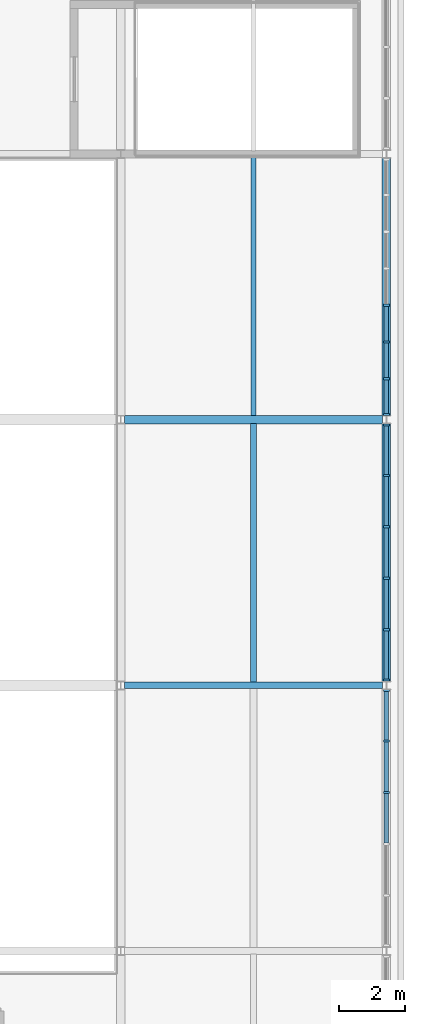
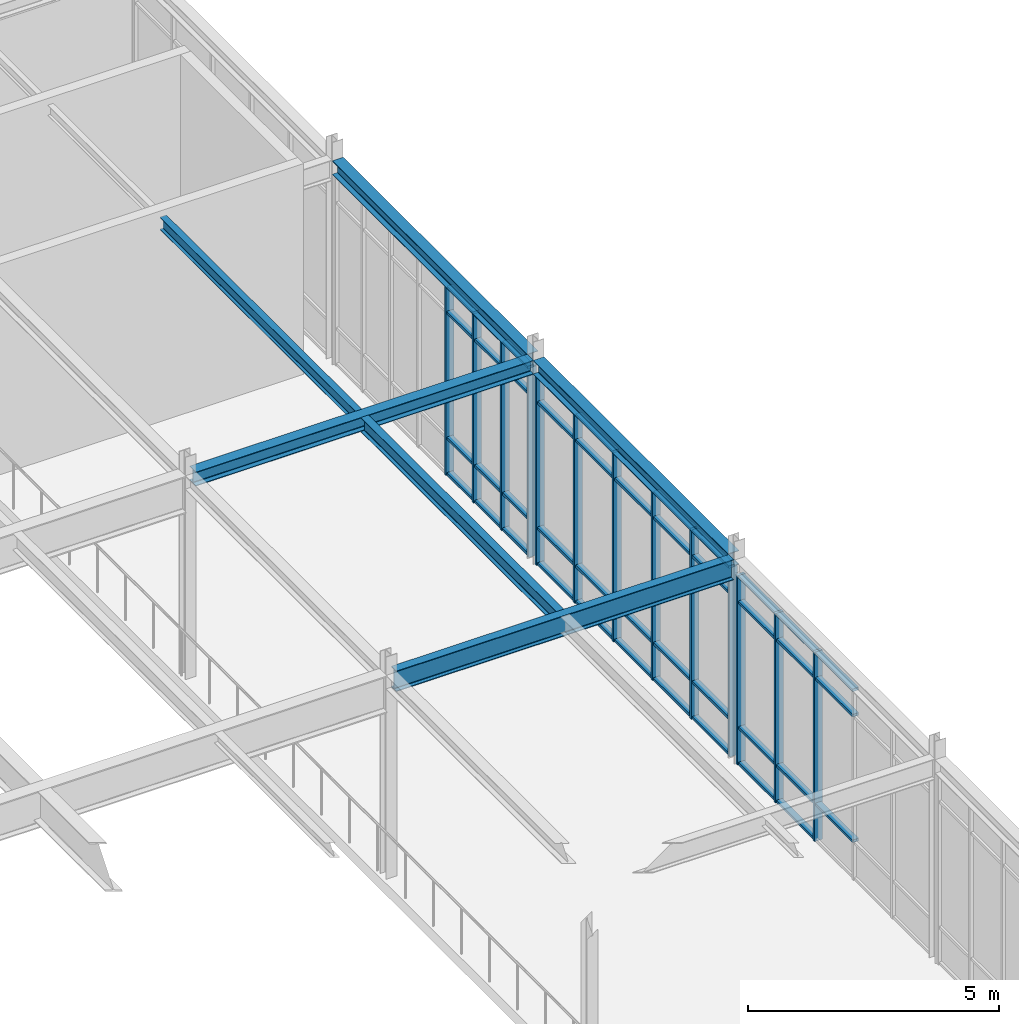
# One storey, part 53 of 108: 56 members, 6 beams, 3 elements without a shape of their own.
"""IFC4 building model written with IfcOpenShell, lengths in metres."""

from ifc_helpers import new_model, si_unit, direction, frame, origin, origin_2d, place, context, subcontext, project, spatial, rectangle, i_section, extrude, material, material_profile, profile_set, type_object, element, aggregate, save


model = new_model("IFC4")

# Units and contexts
model_context = context("Model", 3, precision=1e-05, world=origin(), true_north=direction((0.0, 1.0)))
body_context = subcontext(model_context, "Body", "Model", "MODEL_VIEW")
ifc_project = project(units=[si_unit("LENGTHUNIT", "METRE"), si_unit("AREAUNIT", "SQUARE_METRE"), si_unit("VOLUMEUNIT", "CUBIC_METRE"), si_unit("PLANEANGLEUNIT", "RADIAN"), si_unit("MASSUNIT", "GRAM", prefix="KILO")], contexts=[model_context])

# Site, building, storey
site_placement = place(None, origin())
site = spatial("IfcSite", under=ifc_project, at=site_placement, CompositionType="ELEMENT")
building_placement = place(site_placement, origin())
building = spatial("IfcBuilding", under=site, at=building_placement, Name="Zhaolan Boulevard Law Courts", CompositionType="ELEMENT")
storey_placement = place(building_placement, frame((0.0, 0.0, 10.800048828125)))
storey = spatial("IfcBuildingStorey", under=building, at=storey_placement, Name="L02", CompositionType="ELEMENT", Elevation=10.800048828125)

# Curtain wall, members
ifc_material_1 = material(Name="Thermally broken aluminium and low-E glazing", Category="aluminium")
curtain_wall_type_1 = type_object("IfcCurtainWallType", Name="CURTAIN WALL M16", PredefinedType="USERDEFINED", material=ifc_material_1)
curtain_wall_1_placement = place(storey_placement, origin())
curtain_wall_1 = element("IfcCurtainWall", 1, at=curtain_wall_1_placement, inside=storey, type_object=curtain_wall_type_1, Name="Curtain Wall CW-L02-088", ObjectType="CURTAIN WALL", PredefinedType="USERDEFINED")
ifc_material_2 = material(Name="Fluorocarbon-coated aluminium 6063-T6", Category="aluminium")
ifc_material_profile_1 = material_profile(ifc_material_2, rectangle(XDim=0.179931640625, YDim=0.06494140625, at=origin_2d()), Name="AL65x180")
ifc_profile_set_1 = profile_set([ifc_material_profile_1], Name="Fluorocarbon-coated aluminium 6063-T6")
member_type_1 = type_object("IfcMemberType", Name="CWMULLION 65X180", PredefinedType="MULLION", material=ifc_profile_set_1)
member_1_placement = place(storey_placement, frame((164.0, 18.774658203125, 0.0), z_axis=(0.0, 0.0, 1.0), x_axis=(-1.0, 0.0, 0.0)))
member_1 = element("IfcMember", 2, at=member_1_placement, type_object=member_type_1, Name="CW-L02-088 mullion 4", PredefinedType="MULLION", context=body_context, shape_type="SweptSolid", body=[
    extrude(rectangle(XDim=0.179931640625, YDim=0.06494140625, at=origin_2d()), origin(), (0.0, 0.0, 1.0), 4.60302734375),
])
member_2_placement = place(storey_placement, frame((164.0, 20.32373046875, 0.0), z_axis=(0.0, 0.0, 1.0), x_axis=(-1.0, 0.0, 0.0)))
member_2 = element("IfcMember", 3, at=member_2_placement, type_object=member_type_1, Name="CW-L02-088 mullion 5", PredefinedType="MULLION", context=body_context, shape_type="SweptSolid", body=[
    extrude(rectangle(XDim=0.179931640625, YDim=0.06494140625, at=origin_2d()), origin(), (0.0, 0.0, 1.0), 4.60302734375),
])
member_3_placement = place(storey_placement, frame((164.0, 21.840576171875, 0.0), z_axis=(0.0, 0.0, 1.0), x_axis=(-1.0, 0.0, 0.0)))
member_3 = element("IfcMember", 4, at=member_3_placement, type_object=member_type_1, Name="CW-L02-088 mullion 6", PredefinedType="MULLION", context=body_context, shape_type="SweptSolid", body=[
    extrude(rectangle(XDim=0.179931640625, YDim=0.06494140625, at=origin_2d()), origin(), (0.0, 0.0, 1.0), 4.60302734375),
])

ifc_material_3 = material(Name="Thermally broken aluminium and low-E glazing", Category="aluminium")
curtain_wall_type_2 = type_object("IfcCurtainWallType", Name="CURTAIN WALL M17", PredefinedType="USERDEFINED", material=ifc_material_3)
curtain_wall_2_placement = place(storey_placement, origin())
curtain_wall_2 = element("IfcCurtainWall", 5, at=curtain_wall_2_placement, inside=storey, type_object=curtain_wall_type_2, Name="Curtain Wall CW-L02-089", ObjectType="CURTAIN WALL", PredefinedType="USERDEFINED")
member_4_placement = place(storey_placement, frame((164.0, 22.159423828125, 0.0), z_axis=(0.0, 0.0, 1.0), x_axis=(-1.0, 0.0, 0.0)))
member_4 = element("IfcMember", 6, at=member_4_placement, type_object=member_type_1, Name="CW-L02-089 mullion 1", PredefinedType="MULLION", context=body_context, shape_type="SweptSolid", body=[
    extrude(rectangle(XDim=0.179931640625, YDim=0.06494140625, at=origin_2d()), origin(), (0.0, 0.0, 1.0), 4.60302734375),
])
member_5_placement = place(storey_placement, frame((164.0, 23.67626953125, 0.0), z_axis=(0.0, 0.0, 1.0), x_axis=(-1.0, 0.0, 0.0)))
member_5 = element("IfcMember", 7, at=member_5_placement, type_object=member_type_1, Name="CW-L02-089 mullion 2", PredefinedType="MULLION", context=body_context, shape_type="SweptSolid", body=[
    extrude(rectangle(XDim=0.179931640625, YDim=0.06494140625, at=origin_2d()), origin(), (0.0, 0.0, 1.0), 4.60302734375),
])
member_6_placement = place(storey_placement, frame((164.0, 25.225341796875, 0.0), z_axis=(0.0, 0.0, 1.0), x_axis=(-1.0, 0.0, 0.0)))
member_6 = element("IfcMember", 8, at=member_6_placement, type_object=member_type_1, Name="CW-L02-089 mullion 3", PredefinedType="MULLION", context=body_context, shape_type="SweptSolid", body=[
    extrude(rectangle(XDim=0.179931640625, YDim=0.06494140625, at=origin_2d()), origin(), (0.0, 0.0, 1.0), 4.60302734375),
])
member_7_placement = place(storey_placement, frame((164.0, 26.774658203125, 0.0), z_axis=(0.0, 0.0, 1.0), x_axis=(-1.0, 0.0, 0.0)))
member_7 = element("IfcMember", 9, at=member_7_placement, type_object=member_type_1, Name="CW-L02-089 mullion 4", PredefinedType="MULLION", context=body_context, shape_type="SweptSolid", body=[
    extrude(rectangle(XDim=0.179931640625, YDim=0.06494140625, at=origin_2d()), origin(), (0.0, 0.0, 1.0), 4.60302734375),
])
member_8_placement = place(storey_placement, frame((164.0, 28.32373046875, 0.0), z_axis=(0.0, 0.0, 1.0), x_axis=(-1.0, 0.0, 0.0)))
member_8 = element("IfcMember", 10, at=member_8_placement, type_object=member_type_1, Name="CW-L02-089 mullion 5", PredefinedType="MULLION", context=body_context, shape_type="SweptSolid", body=[
    extrude(rectangle(XDim=0.179931640625, YDim=0.06494140625, at=origin_2d()), origin(), (0.0, 0.0, 1.0), 4.60302734375),
])
member_9_placement = place(storey_placement, frame((164.0, 29.840576171875, 0.0), z_axis=(0.0, 0.0, 1.0), x_axis=(-1.0, 0.0, 0.0)))
member_9 = element("IfcMember", 11, at=member_9_placement, type_object=member_type_1, Name="CW-L02-089 mullion 6", PredefinedType="MULLION", context=body_context, shape_type="SweptSolid", body=[
    extrude(rectangle(XDim=0.179931640625, YDim=0.06494140625, at=origin_2d()), origin(), (0.0, 0.0, 1.0), 4.60302734375),
])

ifc_material_4 = material(Name="Thermally broken aluminium and low-E glazing", Category="aluminium")
curtain_wall_type_3 = type_object("IfcCurtainWallType", Name="CURTAIN WALL M18", PredefinedType="USERDEFINED", material=ifc_material_4)
curtain_wall_3_placement = place(storey_placement, origin())
curtain_wall_3 = element("IfcCurtainWall", 12, at=curtain_wall_3_placement, inside=storey, type_object=curtain_wall_type_3, Name="Curtain Wall CW-L02-090", ObjectType="CURTAIN WALL", PredefinedType="USERDEFINED")
member_10_placement = place(storey_placement, frame((164.0, 30.159423828125, 0.0), z_axis=(0.0, 0.0, 1.0), x_axis=(-1.0, 0.0, 0.0)))
member_10 = element("IfcMember", 13, at=member_10_placement, type_object=member_type_1, Name="CW-L02-090 mullion 1", PredefinedType="MULLION", context=body_context, shape_type="SweptSolid", body=[
    extrude(rectangle(XDim=0.179931640625, YDim=0.06494140625, at=origin_2d()), origin(), (0.0, 0.0, 1.0), 4.60302734375),
])
member_11_placement = place(storey_placement, frame((164.0, 31.233642578125, 0.0), z_axis=(0.0, 0.0, 1.0), x_axis=(-1.0, 0.0, 0.0)))
member_11 = element("IfcMember", 14, at=member_11_placement, type_object=member_type_1, Name="CW-L02-090 mullion 2", PredefinedType="MULLION", context=body_context, shape_type="SweptSolid", body=[
    extrude(rectangle(XDim=0.179931640625, YDim=0.06494140625, at=origin_2d()), origin(), (0.0, 0.0, 1.0), 4.60302734375),
])
member_12_placement = place(storey_placement, frame((164.0, 32.340087890625, 0.0), z_axis=(0.0, 0.0, 1.0), x_axis=(-1.0, 0.0, 0.0)))
member_12 = element("IfcMember", 15, at=member_12_placement, type_object=member_type_1, Name="CW-L02-090 mullion 3", PredefinedType="MULLION", context=body_context, shape_type="SweptSolid", body=[
    extrude(rectangle(XDim=0.179931640625, YDim=0.06494140625, at=origin_2d()), origin(), (0.0, 0.0, 1.0), 4.60302734375),
])
member_13_placement = place(storey_placement, frame((164.0, 33.44677734375, 0.0), z_axis=(0.0, 0.0, 1.0), x_axis=(-1.0, 0.0, 0.0)))
member_13 = element("IfcMember", 16, at=member_13_placement, type_object=member_type_1, Name="CW-L02-090 mullion 4", PredefinedType="MULLION", context=body_context, shape_type="SweptSolid", body=[
    extrude(rectangle(XDim=0.179931640625, YDim=0.06494140625, at=origin_2d()), origin(), (0.0, 0.0, 1.0), 4.60302734375),
])

# Member
ifc_material_5 = material(Name="Fluorocarbon-coated aluminium 6063-T6", Category="aluminium")
ifc_material_profile_2 = material_profile(ifc_material_5, rectangle(XDim=0.139892578125, YDim=0.06494140625, at=origin_2d()), Name="AL65x140")
ifc_profile_set_2 = profile_set([ifc_material_profile_2], Name="Fluorocarbon-coated aluminium 6063-T6")
member_type_2 = type_object("IfcMemberType", Name="CWTRANSOM 65X140", PredefinedType="USERDEFINED", material=ifc_profile_set_2)
member_14_placement = place(storey_placement, frame((164.0, 17.2578125, 0.89990234375), z_axis=(0.0, 1.0, 0.0), x_axis=(-1.0, 0.0, 0.0)))
member_14 = element("IfcMember", 17, at=member_14_placement, type_object=member_type_2, Name="CW-L02-088 transom 3.2", ObjectType="TRANSOM", PredefinedType="USERDEFINED", context=body_context, shape_type="SweptSolid", body=[
    extrude(rectangle(XDim=0.139892578125, YDim=0.06494140625, at=origin_2d()), origin(), (0.0, 0.0, 1.0), 1.484375),
])

member_15_placement = place(storey_placement, frame((164.0, 17.2578125, 3.952880859375), z_axis=(0.0, 1.0, 0.0), x_axis=(-1.0, 0.0, 0.0)))
member_15 = element("IfcMember", 18, at=member_15_placement, type_object=member_type_2, Name="CW-L02-088 transom 3.3", ObjectType="TRANSOM", PredefinedType="USERDEFINED", context=body_context, shape_type="SweptSolid", body=[
    extrude(rectangle(XDim=0.139892578125, YDim=0.06494140625, at=origin_2d()), origin(), (0.0, 0.0, 1.0), 1.484375),
])

member_16_placement = place(storey_placement, frame((164.0, 17.2578125, 4.570556640625), z_axis=(0.0, 1.0, 0.0), x_axis=(-1.0, 0.0, 0.0)))
member_16 = element("IfcMember", 19, at=member_16_placement, type_object=member_type_2, Name="CW-L02-088 transom 3.4", ObjectType="TRANSOM", PredefinedType="USERDEFINED", context=body_context, shape_type="SweptSolid", body=[
    extrude(rectangle(XDim=0.139892578125, YDim=0.06494140625, at=origin_2d()), origin(), (0.0, 0.0, 1.0), 1.484375),
])

member_17_placement = place(storey_placement, frame((164.0, 18.80712890625, 0.032470703125), z_axis=(0.0, 1.0, 0.0), x_axis=(-1.0, 0.0, 0.0)))
member_17 = element("IfcMember", 20, at=member_17_placement, type_object=member_type_2, Name="CW-L02-088 transom 4.1", ObjectType="TRANSOM", PredefinedType="USERDEFINED", context=body_context, shape_type="SweptSolid", body=[
    extrude(rectangle(XDim=0.139892578125, YDim=0.06494140625, at=origin_2d()), origin(), (0.0, 0.0, 1.0), 1.484130859375),
])

member_18_placement = place(storey_placement, frame((164.0, 18.80712890625, 0.89990234375), z_axis=(0.0, 1.0, 0.0), x_axis=(-1.0, 0.0, 0.0)))
member_18 = element("IfcMember", 21, at=member_18_placement, type_object=member_type_2, Name="CW-L02-088 transom 4.2", ObjectType="TRANSOM", PredefinedType="USERDEFINED", context=body_context, shape_type="SweptSolid", body=[
    extrude(rectangle(XDim=0.139892578125, YDim=0.06494140625, at=origin_2d()), origin(), (0.0, 0.0, 1.0), 1.484130859375),
])

member_19_placement = place(storey_placement, frame((164.0, 18.80712890625, 3.952880859375), z_axis=(0.0, 1.0, 0.0), x_axis=(-1.0, 0.0, 0.0)))
member_19 = element("IfcMember", 22, at=member_19_placement, type_object=member_type_2, Name="CW-L02-088 transom 4.3", ObjectType="TRANSOM", PredefinedType="USERDEFINED", context=body_context, shape_type="SweptSolid", body=[
    extrude(rectangle(XDim=0.139892578125, YDim=0.06494140625, at=origin_2d()), origin(), (0.0, 0.0, 1.0), 1.484130859375),
])

member_20_placement = place(storey_placement, frame((164.0, 18.80712890625, 4.570556640625), z_axis=(0.0, 1.0, 0.0), x_axis=(-1.0, 0.0, 0.0)))
member_20 = element("IfcMember", 23, at=member_20_placement, type_object=member_type_2, Name="CW-L02-088 transom 4.4", ObjectType="TRANSOM", PredefinedType="USERDEFINED", context=body_context, shape_type="SweptSolid", body=[
    extrude(rectangle(XDim=0.139892578125, YDim=0.06494140625, at=origin_2d()), origin(), (0.0, 0.0, 1.0), 1.484130859375),
])

member_21_placement = place(storey_placement, frame((164.0, 20.356201171875, 0.032470703125), z_axis=(0.0, 1.0, 0.0), x_axis=(-1.0, 0.0, 0.0)))
member_21 = element("IfcMember", 24, at=member_21_placement, type_object=member_type_2, Name="CW-L02-088 transom 5.1", ObjectType="TRANSOM", PredefinedType="USERDEFINED", context=body_context, shape_type="SweptSolid", body=[
    extrude(rectangle(XDim=0.139892578125, YDim=0.06494140625, at=origin_2d()), origin(), (0.0, 0.0, 1.0), 1.451904296875),
])

member_22_placement = place(storey_placement, frame((164.0, 20.356201171875, 0.89990234375), z_axis=(0.0, 1.0, 0.0), x_axis=(-1.0, 0.0, 0.0)))
member_22 = element("IfcMember", 25, at=member_22_placement, type_object=member_type_2, Name="CW-L02-088 transom 5.2", ObjectType="TRANSOM", PredefinedType="USERDEFINED", context=body_context, shape_type="SweptSolid", body=[
    extrude(rectangle(XDim=0.139892578125, YDim=0.06494140625, at=origin_2d()), origin(), (0.0, 0.0, 1.0), 1.451904296875),
])

member_23_placement = place(storey_placement, frame((164.0, 20.356201171875, 3.952880859375), z_axis=(0.0, 1.0, 0.0), x_axis=(-1.0, 0.0, 0.0)))
member_23 = element("IfcMember", 26, at=member_23_placement, type_object=member_type_2, Name="CW-L02-088 transom 5.3", ObjectType="TRANSOM", PredefinedType="USERDEFINED", context=body_context, shape_type="SweptSolid", body=[
    extrude(rectangle(XDim=0.139892578125, YDim=0.06494140625, at=origin_2d()), origin(), (0.0, 0.0, 1.0), 1.451904296875),
])

member_24_placement = place(storey_placement, frame((164.0, 20.356201171875, 4.570556640625), z_axis=(0.0, 1.0, 0.0), x_axis=(-1.0, 0.0, 0.0)))
member_24 = element("IfcMember", 27, at=member_24_placement, type_object=member_type_2, Name="CW-L02-088 transom 5.4", ObjectType="TRANSOM", PredefinedType="USERDEFINED", context=body_context, shape_type="SweptSolid", body=[
    extrude(rectangle(XDim=0.139892578125, YDim=0.06494140625, at=origin_2d()), origin(), (0.0, 0.0, 1.0), 1.451904296875),
])

aggregate(curtain_wall_1, [member_1, member_2, member_3, member_14, member_15, member_16, member_17, member_18, member_19, member_20, member_21, member_22, member_23, member_24])

member_25_placement = place(storey_placement, frame((164.0, 22.19189453125, 0.032470703125), z_axis=(0.0, 1.0, 0.0), x_axis=(-1.0, 0.0, 0.0)))
member_25 = element("IfcMember", 28, at=member_25_placement, type_object=member_type_2, Name="CW-L02-089 transom 1.1", ObjectType="TRANSOM", PredefinedType="USERDEFINED", context=body_context, shape_type="SweptSolid", body=[
    extrude(rectangle(XDim=0.139892578125, YDim=0.06494140625, at=origin_2d()), origin(), (0.0, 0.0, 1.0), 1.451904296875),
])

member_26_placement = place(storey_placement, frame((164.0, 22.19189453125, 0.89990234375), z_axis=(0.0, 1.0, 0.0), x_axis=(-1.0, 0.0, 0.0)))
member_26 = element("IfcMember", 29, at=member_26_placement, type_object=member_type_2, Name="CW-L02-089 transom 1.2", ObjectType="TRANSOM", PredefinedType="USERDEFINED", context=body_context, shape_type="SweptSolid", body=[
    extrude(rectangle(XDim=0.139892578125, YDim=0.06494140625, at=origin_2d()), origin(), (0.0, 0.0, 1.0), 1.451904296875),
])

member_27_placement = place(storey_placement, frame((164.0, 22.19189453125, 3.952880859375), z_axis=(0.0, 1.0, 0.0), x_axis=(-1.0, 0.0, 0.0)))
member_27 = element("IfcMember", 30, at=member_27_placement, type_object=member_type_2, Name="CW-L02-089 transom 1.3", ObjectType="TRANSOM", PredefinedType="USERDEFINED", context=body_context, shape_type="SweptSolid", body=[
    extrude(rectangle(XDim=0.139892578125, YDim=0.06494140625, at=origin_2d()), origin(), (0.0, 0.0, 1.0), 1.451904296875),
])

member_28_placement = place(storey_placement, frame((164.0, 22.19189453125, 4.570556640625), z_axis=(0.0, 1.0, 0.0), x_axis=(-1.0, 0.0, 0.0)))
member_28 = element("IfcMember", 31, at=member_28_placement, type_object=member_type_2, Name="CW-L02-089 transom 1.4", ObjectType="TRANSOM", PredefinedType="USERDEFINED", context=body_context, shape_type="SweptSolid", body=[
    extrude(rectangle(XDim=0.139892578125, YDim=0.06494140625, at=origin_2d()), origin(), (0.0, 0.0, 1.0), 1.451904296875),
])

member_29_placement = place(storey_placement, frame((164.0, 23.708740234375, 0.032470703125), z_axis=(0.0, 1.0, 0.0), x_axis=(-1.0, 0.0, 0.0)))
member_29 = element("IfcMember", 32, at=member_29_placement, type_object=member_type_2, Name="CW-L02-089 transom 2.1", ObjectType="TRANSOM", PredefinedType="USERDEFINED", context=body_context, shape_type="SweptSolid", body=[
    extrude(rectangle(XDim=0.139892578125, YDim=0.06494140625, at=origin_2d()), origin(), (0.0, 0.0, 1.0), 1.484130859375),
])

member_30_placement = place(storey_placement, frame((164.0, 23.708740234375, 0.89990234375), z_axis=(0.0, 1.0, 0.0), x_axis=(-1.0, 0.0, 0.0)))
member_30 = element("IfcMember", 33, at=member_30_placement, type_object=member_type_2, Name="CW-L02-089 transom 2.2", ObjectType="TRANSOM", PredefinedType="USERDEFINED", context=body_context, shape_type="SweptSolid", body=[
    extrude(rectangle(XDim=0.139892578125, YDim=0.06494140625, at=origin_2d()), origin(), (0.0, 0.0, 1.0), 1.484130859375),
])

member_31_placement = place(storey_placement, frame((164.0, 23.708740234375, 3.952880859375), z_axis=(0.0, 1.0, 0.0), x_axis=(-1.0, 0.0, 0.0)))
member_31 = element("IfcMember", 34, at=member_31_placement, type_object=member_type_2, Name="CW-L02-089 transom 2.3", ObjectType="TRANSOM", PredefinedType="USERDEFINED", context=body_context, shape_type="SweptSolid", body=[
    extrude(rectangle(XDim=0.139892578125, YDim=0.06494140625, at=origin_2d()), origin(), (0.0, 0.0, 1.0), 1.484130859375),
])

member_32_placement = place(storey_placement, frame((164.0, 23.708740234375, 4.570556640625), z_axis=(0.0, 1.0, 0.0), x_axis=(-1.0, 0.0, 0.0)))
member_32 = element("IfcMember", 35, at=member_32_placement, type_object=member_type_2, Name="CW-L02-089 transom 2.4", ObjectType="TRANSOM", PredefinedType="USERDEFINED", context=body_context, shape_type="SweptSolid", body=[
    extrude(rectangle(XDim=0.139892578125, YDim=0.06494140625, at=origin_2d()), origin(), (0.0, 0.0, 1.0), 1.484130859375),
])

member_33_placement = place(storey_placement, frame((164.0, 25.2578125, 0.032470703125), z_axis=(0.0, 1.0, 0.0), x_axis=(-1.0, 0.0, 0.0)))
member_33 = element("IfcMember", 36, at=member_33_placement, type_object=member_type_2, Name="CW-L02-089 transom 3.1", ObjectType="TRANSOM", PredefinedType="USERDEFINED", context=body_context, shape_type="SweptSolid", body=[
    extrude(rectangle(XDim=0.139892578125, YDim=0.06494140625, at=origin_2d()), origin(), (0.0, 0.0, 1.0), 1.484375),
])

member_34_placement = place(storey_placement, frame((164.0, 25.2578125, 0.89990234375), z_axis=(0.0, 1.0, 0.0), x_axis=(-1.0, 0.0, 0.0)))
member_34 = element("IfcMember", 37, at=member_34_placement, type_object=member_type_2, Name="CW-L02-089 transom 3.2", ObjectType="TRANSOM", PredefinedType="USERDEFINED", context=body_context, shape_type="SweptSolid", body=[
    extrude(rectangle(XDim=0.139892578125, YDim=0.06494140625, at=origin_2d()), origin(), (0.0, 0.0, 1.0), 1.484375),
])

member_35_placement = place(storey_placement, frame((164.0, 25.2578125, 3.952880859375), z_axis=(0.0, 1.0, 0.0), x_axis=(-1.0, 0.0, 0.0)))
member_35 = element("IfcMember", 38, at=member_35_placement, type_object=member_type_2, Name="CW-L02-089 transom 3.3", ObjectType="TRANSOM", PredefinedType="USERDEFINED", context=body_context, shape_type="SweptSolid", body=[
    extrude(rectangle(XDim=0.139892578125, YDim=0.06494140625, at=origin_2d()), origin(), (0.0, 0.0, 1.0), 1.484375),
])

member_36_placement = place(storey_placement, frame((164.0, 25.2578125, 4.570556640625), z_axis=(0.0, 1.0, 0.0), x_axis=(-1.0, 0.0, 0.0)))
member_36 = element("IfcMember", 39, at=member_36_placement, type_object=member_type_2, Name="CW-L02-089 transom 3.4", ObjectType="TRANSOM", PredefinedType="USERDEFINED", context=body_context, shape_type="SweptSolid", body=[
    extrude(rectangle(XDim=0.139892578125, YDim=0.06494140625, at=origin_2d()), origin(), (0.0, 0.0, 1.0), 1.484375),
])

member_37_placement = place(storey_placement, frame((164.0, 26.80712890625, 0.032470703125), z_axis=(0.0, 1.0, 0.0), x_axis=(-1.0, 0.0, 0.0)))
member_37 = element("IfcMember", 40, at=member_37_placement, type_object=member_type_2, Name="CW-L02-089 transom 4.1", ObjectType="TRANSOM", PredefinedType="USERDEFINED", context=body_context, shape_type="SweptSolid", body=[
    extrude(rectangle(XDim=0.139892578125, YDim=0.06494140625, at=origin_2d()), origin(), (0.0, 0.0, 1.0), 1.484130859375),
])

member_38_placement = place(storey_placement, frame((164.0, 26.80712890625, 0.89990234375), z_axis=(0.0, 1.0, 0.0), x_axis=(-1.0, 0.0, 0.0)))
member_38 = element("IfcMember", 41, at=member_38_placement, type_object=member_type_2, Name="CW-L02-089 transom 4.2", ObjectType="TRANSOM", PredefinedType="USERDEFINED", context=body_context, shape_type="SweptSolid", body=[
    extrude(rectangle(XDim=0.139892578125, YDim=0.06494140625, at=origin_2d()), origin(), (0.0, 0.0, 1.0), 1.484130859375),
])

member_39_placement = place(storey_placement, frame((164.0, 26.80712890625, 3.952880859375), z_axis=(0.0, 1.0, 0.0), x_axis=(-1.0, 0.0, 0.0)))
member_39 = element("IfcMember", 42, at=member_39_placement, type_object=member_type_2, Name="CW-L02-089 transom 4.3", ObjectType="TRANSOM", PredefinedType="USERDEFINED", context=body_context, shape_type="SweptSolid", body=[
    extrude(rectangle(XDim=0.139892578125, YDim=0.06494140625, at=origin_2d()), origin(), (0.0, 0.0, 1.0), 1.484130859375),
])

member_40_placement = place(storey_placement, frame((164.0, 26.80712890625, 4.570556640625), z_axis=(0.0, 1.0, 0.0), x_axis=(-1.0, 0.0, 0.0)))
member_40 = element("IfcMember", 43, at=member_40_placement, type_object=member_type_2, Name="CW-L02-089 transom 4.4", ObjectType="TRANSOM", PredefinedType="USERDEFINED", context=body_context, shape_type="SweptSolid", body=[
    extrude(rectangle(XDim=0.139892578125, YDim=0.06494140625, at=origin_2d()), origin(), (0.0, 0.0, 1.0), 1.484130859375),
])

member_41_placement = place(storey_placement, frame((164.0, 28.356201171875, 0.032470703125), z_axis=(0.0, 1.0, 0.0), x_axis=(-1.0, 0.0, 0.0)))
member_41 = element("IfcMember", 44, at=member_41_placement, type_object=member_type_2, Name="CW-L02-089 transom 5.1", ObjectType="TRANSOM", PredefinedType="USERDEFINED", context=body_context, shape_type="SweptSolid", body=[
    extrude(rectangle(XDim=0.139892578125, YDim=0.06494140625, at=origin_2d()), origin(), (0.0, 0.0, 1.0), 1.451904296875),
])

member_42_placement = place(storey_placement, frame((164.0, 28.356201171875, 0.89990234375), z_axis=(0.0, 1.0, 0.0), x_axis=(-1.0, 0.0, 0.0)))
member_42 = element("IfcMember", 45, at=member_42_placement, type_object=member_type_2, Name="CW-L02-089 transom 5.2", ObjectType="TRANSOM", PredefinedType="USERDEFINED", context=body_context, shape_type="SweptSolid", body=[
    extrude(rectangle(XDim=0.139892578125, YDim=0.06494140625, at=origin_2d()), origin(), (0.0, 0.0, 1.0), 1.451904296875),
])

member_43_placement = place(storey_placement, frame((164.0, 28.356201171875, 3.952880859375), z_axis=(0.0, 1.0, 0.0), x_axis=(-1.0, 0.0, 0.0)))
member_43 = element("IfcMember", 46, at=member_43_placement, type_object=member_type_2, Name="CW-L02-089 transom 5.3", ObjectType="TRANSOM", PredefinedType="USERDEFINED", context=body_context, shape_type="SweptSolid", body=[
    extrude(rectangle(XDim=0.139892578125, YDim=0.06494140625, at=origin_2d()), origin(), (0.0, 0.0, 1.0), 1.451904296875),
])

member_44_placement = place(storey_placement, frame((164.0, 28.356201171875, 4.570556640625), z_axis=(0.0, 1.0, 0.0), x_axis=(-1.0, 0.0, 0.0)))
member_44 = element("IfcMember", 47, at=member_44_placement, type_object=member_type_2, Name="CW-L02-089 transom 5.4", ObjectType="TRANSOM", PredefinedType="USERDEFINED", context=body_context, shape_type="SweptSolid", body=[
    extrude(rectangle(XDim=0.139892578125, YDim=0.06494140625, at=origin_2d()), origin(), (0.0, 0.0, 1.0), 1.451904296875),
])

aggregate(curtain_wall_2, [member_4, member_5, member_6, member_7, member_8, member_9, member_25, member_26, member_27, member_28, member_29, member_30, member_31, member_32, member_33, member_34, member_35, member_36, member_37, member_38, member_39, member_40, member_41, member_42, member_43, member_44])

member_45_placement = place(storey_placement, frame((164.0, 30.19189453125, 0.032470703125), z_axis=(0.0, 1.0, 0.0), x_axis=(-1.0, 0.0, 0.0)))
member_45 = element("IfcMember", 48, at=member_45_placement, type_object=member_type_2, Name="CW-L02-090 transom 1.1", ObjectType="TRANSOM", PredefinedType="USERDEFINED", context=body_context, shape_type="SweptSolid", body=[
    extrude(rectangle(XDim=0.139892578125, YDim=0.06494140625, at=origin_2d()), origin(), (0.0, 0.0, 1.0), 1.00927734375),
])

member_46_placement = place(storey_placement, frame((164.0, 30.19189453125, 0.89990234375), z_axis=(0.0, 1.0, 0.0), x_axis=(-1.0, 0.0, 0.0)))
member_46 = element("IfcMember", 49, at=member_46_placement, type_object=member_type_2, Name="CW-L02-090 transom 1.2", ObjectType="TRANSOM", PredefinedType="USERDEFINED", context=body_context, shape_type="SweptSolid", body=[
    extrude(rectangle(XDim=0.139892578125, YDim=0.06494140625, at=origin_2d()), origin(), (0.0, 0.0, 1.0), 1.00927734375),
])

member_47_placement = place(storey_placement, frame((164.0, 30.19189453125, 3.952880859375), z_axis=(0.0, 1.0, 0.0), x_axis=(-1.0, 0.0, 0.0)))
member_47 = element("IfcMember", 50, at=member_47_placement, type_object=member_type_2, Name="CW-L02-090 transom 1.3", ObjectType="TRANSOM", PredefinedType="USERDEFINED", context=body_context, shape_type="SweptSolid", body=[
    extrude(rectangle(XDim=0.139892578125, YDim=0.06494140625, at=origin_2d()), origin(), (0.0, 0.0, 1.0), 1.00927734375),
])

member_48_placement = place(storey_placement, frame((164.0, 30.19189453125, 4.570556640625), z_axis=(0.0, 1.0, 0.0), x_axis=(-1.0, 0.0, 0.0)))
member_48 = element("IfcMember", 51, at=member_48_placement, type_object=member_type_2, Name="CW-L02-090 transom 1.4", ObjectType="TRANSOM", PredefinedType="USERDEFINED", context=body_context, shape_type="SweptSolid", body=[
    extrude(rectangle(XDim=0.139892578125, YDim=0.06494140625, at=origin_2d()), origin(), (0.0, 0.0, 1.0), 1.00927734375),
])

member_49_placement = place(storey_placement, frame((164.0, 31.26611328125, 0.032470703125), z_axis=(0.0, 1.0, 0.0), x_axis=(-1.0, 0.0, 0.0)))
member_49 = element("IfcMember", 52, at=member_49_placement, type_object=member_type_2, Name="CW-L02-090 transom 2.1", ObjectType="TRANSOM", PredefinedType="USERDEFINED", context=body_context, shape_type="SweptSolid", body=[
    extrude(rectangle(XDim=0.139892578125, YDim=0.06494140625, at=origin_2d()), origin(), (0.0, 0.0, 1.0), 1.04150390625),
])

member_50_placement = place(storey_placement, frame((164.0, 31.26611328125, 0.89990234375), z_axis=(0.0, 1.0, 0.0), x_axis=(-1.0, 0.0, 0.0)))
member_50 = element("IfcMember", 53, at=member_50_placement, type_object=member_type_2, Name="CW-L02-090 transom 2.2", ObjectType="TRANSOM", PredefinedType="USERDEFINED", context=body_context, shape_type="SweptSolid", body=[
    extrude(rectangle(XDim=0.139892578125, YDim=0.06494140625, at=origin_2d()), origin(), (0.0, 0.0, 1.0), 1.04150390625),
])

member_51_placement = place(storey_placement, frame((164.0, 31.26611328125, 3.952880859375), z_axis=(0.0, 1.0, 0.0), x_axis=(-1.0, 0.0, 0.0)))
member_51 = element("IfcMember", 54, at=member_51_placement, type_object=member_type_2, Name="CW-L02-090 transom 2.3", ObjectType="TRANSOM", PredefinedType="USERDEFINED", context=body_context, shape_type="SweptSolid", body=[
    extrude(rectangle(XDim=0.139892578125, YDim=0.06494140625, at=origin_2d()), origin(), (0.0, 0.0, 1.0), 1.04150390625),
])

member_52_placement = place(storey_placement, frame((164.0, 31.26611328125, 4.570556640625), z_axis=(0.0, 1.0, 0.0), x_axis=(-1.0, 0.0, 0.0)))
member_52 = element("IfcMember", 55, at=member_52_placement, type_object=member_type_2, Name="CW-L02-090 transom 2.4", ObjectType="TRANSOM", PredefinedType="USERDEFINED", context=body_context, shape_type="SweptSolid", body=[
    extrude(rectangle(XDim=0.139892578125, YDim=0.06494140625, at=origin_2d()), origin(), (0.0, 0.0, 1.0), 1.04150390625),
])

member_53_placement = place(storey_placement, frame((164.0, 32.37255859375, 0.032470703125), z_axis=(0.0, 1.0, 0.0), x_axis=(-1.0, 0.0, 0.0)))
member_53 = element("IfcMember", 56, at=member_53_placement, type_object=member_type_2, Name="CW-L02-090 transom 3.1", ObjectType="TRANSOM", PredefinedType="USERDEFINED", context=body_context, shape_type="SweptSolid", body=[
    extrude(rectangle(XDim=0.139892578125, YDim=0.06494140625, at=origin_2d()), origin(), (0.0, 0.0, 1.0), 1.041748046875),
])

member_54_placement = place(storey_placement, frame((164.0, 32.37255859375, 0.89990234375), z_axis=(0.0, 1.0, 0.0), x_axis=(-1.0, 0.0, 0.0)))
member_54 = element("IfcMember", 57, at=member_54_placement, type_object=member_type_2, Name="CW-L02-090 transom 3.2", ObjectType="TRANSOM", PredefinedType="USERDEFINED", context=body_context, shape_type="SweptSolid", body=[
    extrude(rectangle(XDim=0.139892578125, YDim=0.06494140625, at=origin_2d()), origin(), (0.0, 0.0, 1.0), 1.041748046875),
])

member_55_placement = place(storey_placement, frame((164.0, 32.37255859375, 3.952880859375), z_axis=(0.0, 1.0, 0.0), x_axis=(-1.0, 0.0, 0.0)))
member_55 = element("IfcMember", 58, at=member_55_placement, type_object=member_type_2, Name="CW-L02-090 transom 3.3", ObjectType="TRANSOM", PredefinedType="USERDEFINED", context=body_context, shape_type="SweptSolid", body=[
    extrude(rectangle(XDim=0.139892578125, YDim=0.06494140625, at=origin_2d()), origin(), (0.0, 0.0, 1.0), 1.041748046875),
])

member_56_placement = place(storey_placement, frame((164.0, 32.37255859375, 4.570556640625), z_axis=(0.0, 1.0, 0.0), x_axis=(-1.0, 0.0, 0.0)))
member_56 = element("IfcMember", 59, at=member_56_placement, type_object=member_type_2, Name="CW-L02-090 transom 3.4", ObjectType="TRANSOM", PredefinedType="USERDEFINED", context=body_context, shape_type="SweptSolid", body=[
    extrude(rectangle(XDim=0.139892578125, YDim=0.06494140625, at=origin_2d()), origin(), (0.0, 0.0, 1.0), 1.041748046875),
])

aggregate(curtain_wall_3, [member_10, member_11, member_12, member_13, member_45, member_46, member_47, member_48, member_49, member_50, member_51, member_52, member_53, member_54, member_55, member_56])

# Beams
ifc_material_6 = material(Name="Structural steel Q355B", Category="steel")
ifc_material_profile_3 = material_profile(ifc_material_6, i_section(OverallWidth=0.25, OverallDepth=0.340087890625, WebThickness=0.009033203125, FlangeThickness=0.013916015625, FilletRadius=0.01611328125, at=origin_2d()), Name="HM340x250")
ifc_profile_set_3 = profile_set([ifc_material_profile_3], Name="Structural steel Q355B")
beam_type_1 = type_object("IfcBeamType", Name="GIRDER HM340", PredefinedType="BEAM", material=ifc_profile_set_3)
for number, where, z_axis, x_axis, name in (
    (60, (164.0, 22.12109375, 4.787841796875), (0.0, 1.0, 0.0), (-1.0, 0.0, 0.0), "Beam BY-L03-21-D-E"),
    (61, (164.0, 30.12109375, 4.787841796875), (0.0, 1.0, 0.0), (-1.0, 0.0, 0.0), "Beam BY-L03-21-E-F"),
):
    element("IfcBeam", number, at=place(storey_placement, frame(where, z_axis=z_axis, x_axis=x_axis)), inside=storey, type_object=beam_type_1, Name=name, PredefinedType="BEAM", context=body_context, shape_type="SweptSolid", body=[
        extrude(i_section(OverallWidth=0.25, OverallDepth=0.340087890625, WebThickness=0.009033203125, FlangeThickness=0.013916015625, FilletRadius=0.01611328125, at=origin_2d()), origin(), (0.0, 0.0, 1.0), 7.7578125),
    ])
ifc_material_7 = material(Name="Structural steel Q355B", Category="steel")
ifc_material_profile_4 = material_profile(ifc_material_7, i_section(OverallWidth=0.199951171875, OverallDepth=0.5, WebThickness=0.010009765625, FlangeThickness=0.01611328125, FilletRadius=0.01806640625, at=origin_2d()), Name="HN500x200")
ifc_profile_set_4 = profile_set([ifc_material_profile_4], Name="Structural steel Q355B")
beam_type_2 = type_object("IfcBeamType", Name="GIRDER HN500", PredefinedType="BEAM", material=ifc_profile_set_4)
beam_1_placement = place(storey_placement, frame((156.12109375, 22.0, 4.7080078125), z_axis=(1.0, 0.0, 0.0), x_axis=(0.0, 1.0, 0.0)))
element("IfcBeam", 62, at=beam_1_placement, inside=storey, type_object=beam_type_2, Name="Beam BX-L03-20-21-D", PredefinedType="BEAM", context=body_context, shape_type="SweptSolid", body=[
    extrude(i_section(OverallWidth=0.199951171875, OverallDepth=0.5, WebThickness=0.010009765625, FlangeThickness=0.01611328125, FilletRadius=0.01806640625, at=origin_2d()), origin(), (0.0, 0.0, 1.0), 7.7578125),
])
ifc_material_8 = material(Name="Structural steel Q355B", Category="steel")
ifc_material_profile_5 = material_profile(ifc_material_8, i_section(OverallWidth=0.14990234375, OverallDepth=0.300048828125, WebThickness=0.006591796875, FlangeThickness=0.009033203125, FilletRadius=0.010986328125, at=origin_2d()), Name="HN300x150")
ifc_profile_set_5 = profile_set([ifc_material_profile_5], Name="Structural steel Q355B")
beam_type_3 = type_object("IfcBeamType", Name="JOIST HN300", PredefinedType="JOIST", material=ifc_profile_set_5)
beam_2_placement = place(storey_placement, frame((160.0, 30.12109375, 4.807861328125), z_axis=(0.0, 1.0, 0.0), x_axis=(-1.0, 0.0, 0.0)))
element("IfcBeam", 63, at=beam_2_placement, inside=storey, type_object=beam_type_3, Name="Composite Joist J-L03-20E", PredefinedType="JOIST", context=body_context, shape_type="SweptSolid", body=[
    extrude(i_section(OverallWidth=0.14990234375, OverallDepth=0.300048828125, WebThickness=0.006591796875, FlangeThickness=0.009033203125, FilletRadius=0.010986328125, at=origin_2d()), origin(), (0.0, 0.0, 1.0), 7.782958984375),
])
ifc_material_9 = material(Name="Structural steel Q355B", Category="steel")
ifc_material_profile_6 = material_profile(ifc_material_9, i_section(OverallWidth=0.175048828125, OverallDepth=0.35009765625, WebThickness=0.007080078125, FlangeThickness=0.010986328125, FilletRadius=0.012939453125, at=origin_2d()), Name="HN350x175")
ifc_profile_set_6 = profile_set([ifc_material_profile_6], Name="Structural steel Q355B")
beam_type_4 = type_object("IfcBeamType", Name="JOIST HN350", PredefinedType="JOIST", material=ifc_profile_set_6)
beam_3_placement = place(storey_placement, frame((160.0, 22.095947265625, 4.782958984375), z_axis=(0.0, 1.0, 0.0), x_axis=(-1.0, 0.0, 0.0)))
element("IfcBeam", 64, at=beam_3_placement, inside=storey, type_object=beam_type_4, Name="Composite Joist J-L03-20D", PredefinedType="JOIST", context=body_context, shape_type="SweptSolid", body=[
    extrude(i_section(OverallWidth=0.175048828125, OverallDepth=0.35009765625, WebThickness=0.007080078125, FlangeThickness=0.010986328125, FilletRadius=0.012939453125, at=origin_2d()), origin(), (0.0, 0.0, 1.0), 7.782958984375),
])
ifc_material_10 = material(Name="Structural steel Q355B", Category="steel")
ifc_material_profile_7 = material_profile(ifc_material_10, i_section(OverallWidth=0.25, OverallDepth=0.340087890625, WebThickness=0.009033203125, FlangeThickness=0.013916015625, FilletRadius=0.01611328125, at=origin_2d()), Name="HM340x250")
ifc_profile_set_7 = profile_set([ifc_material_profile_7], Name="Structural steel Q355B")
beam_type_5 = type_object("IfcBeamType", Name="SPANDREL HM340", PredefinedType="SPANDREL", material=ifc_profile_set_7)
beam_4_placement = place(storey_placement, frame((156.12109375, 30.0, 4.787841796875), z_axis=(1.0, 0.0, 0.0), x_axis=(0.0, 1.0, 0.0)))
element("IfcBeam", 65, at=beam_4_placement, inside=storey, type_object=beam_type_5, Name="Beam BX-L03-20-21-E", PredefinedType="SPANDREL", context=body_context, shape_type="SweptSolid", body=[
    extrude(i_section(OverallWidth=0.25, OverallDepth=0.340087890625, WebThickness=0.009033203125, FlangeThickness=0.013916015625, FilletRadius=0.01611328125, at=origin_2d()), origin(), (0.0, 0.0, 1.0), 7.7578125),
])

save(model, "model.ifc")
